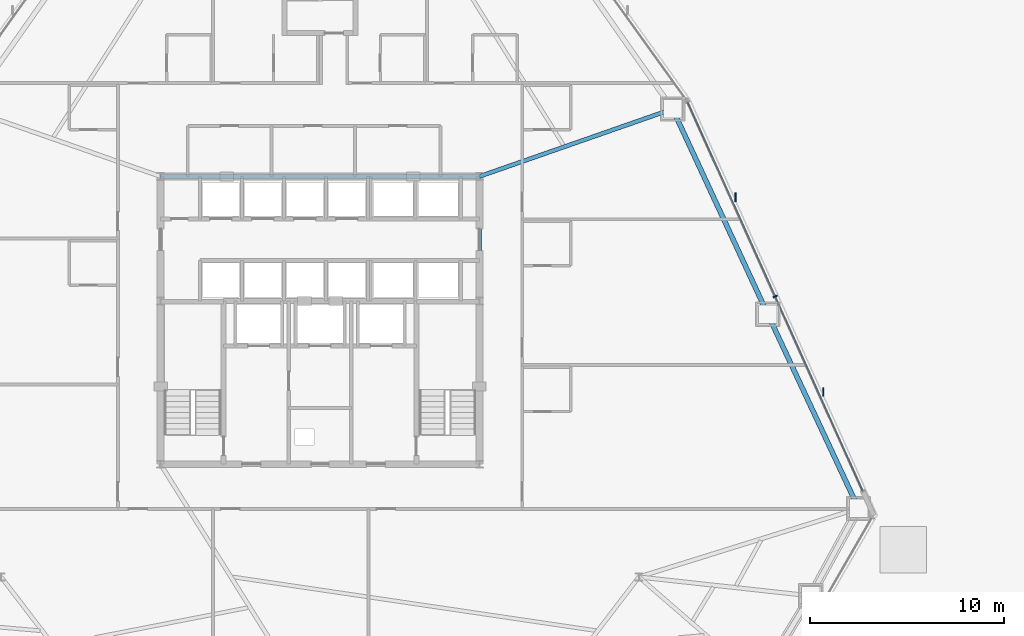
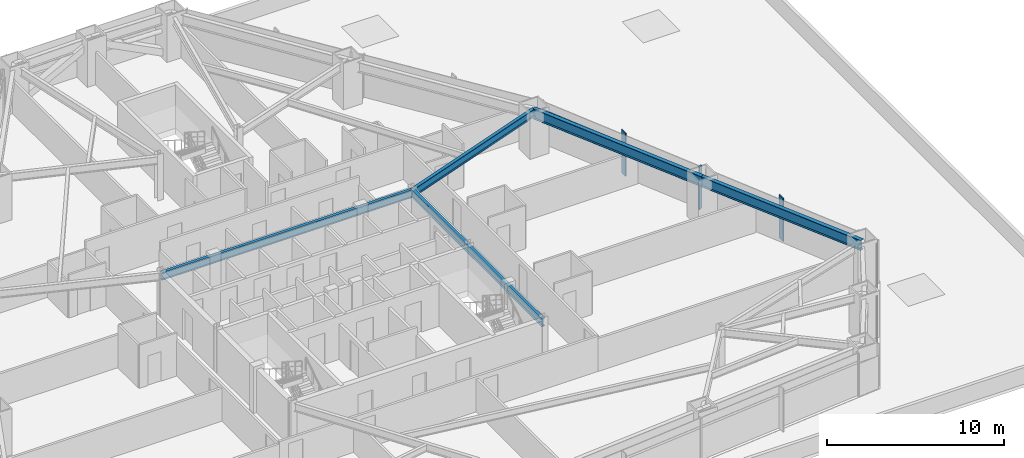
# One storey, part 7 of 17: 5 beams, 4 members, 1 element without a shape of its own.
"""IFC4 building model written with IfcOpenShell, lengths in metres."""

from ifc_helpers import new_model, si_unit, direction, frame, origin, origin_2d, place, context, subcontext, project, spatial, rectangle, i_section, extrude, source, transform, mapped, material, layer, layer_set, material_profile, profile_set, type_object, type_shapes, element, aggregate, save


model = new_model("IFC4")

# Units and contexts
model_context = context("Model", 3, precision=1e-05, world=origin(), true_north=direction((0.0, 1.0)))
body_context = subcontext(model_context, "Body", "Model", "MODEL_VIEW")
ifc_project = project(units=[si_unit("LENGTHUNIT", "METRE"), si_unit("AREAUNIT", "SQUARE_METRE"), si_unit("VOLUMEUNIT", "CUBIC_METRE"), si_unit("PLANEANGLEUNIT", "RADIAN"), si_unit("MASSUNIT", "GRAM", prefix="KILO")], contexts=[model_context])

# Site, building, storey
site_placement = place(None, origin())
site = spatial("IfcSite", under=ifc_project, at=site_placement, CompositionType="ELEMENT")
building_placement = place(site_placement, origin())
building = spatial("IfcBuilding", under=site, at=building_placement, Name="Varakhsha Concourse Tower", CompositionType="ELEMENT")
storey_placement = place(building_placement, frame((0.0, 0.0, 27.199951171875)))
storey = spatial("IfcBuildingStorey", under=building, at=storey_placement, Name="L06", CompositionType="ELEMENT", Elevation=27.199951171875)

# Beams
ifc_material_1 = material(Name="Structural Steel ASTM A992 Grade 50", Category="steel")
ifc_material_profile_1 = material_profile(ifc_material_1, i_section(OverallWidth=0.2109375, OverallDepth=0.5390625, WebThickness=0.011962890625, FlangeThickness=0.01904296875, at=origin_2d()), Name="W21X73")
ifc_profile_set_1 = profile_set([ifc_material_profile_1], Name="Structural Steel ASTM A992 Grade 50")
beam_type_1 = type_object("IfcBeamType", Name="BM-RAD-W21X73", PredefinedType="BEAM", material=ifc_profile_set_1)
beam_1_placement = place(storey_placement, frame((31.800048828125, 31.199951171875, 2.71044921875), z_axis=(1.0, 0.0, 0.0), x_axis=(0.0, 1.0, 0.0)))
element("IfcBeam", 1, at=beam_1_placement, inside=storey, type_object=beam_type_1, Name="BM-TCORE-L06-CN", PredefinedType="BEAM", context=body_context, shape_type="SweptSolid", body=[
    extrude(i_section(OverallWidth=0.2109375, OverallDepth=0.5390625, WebThickness=0.011962890625, FlangeThickness=0.01904296875, at=origin_2d()), origin(), (0.0, 0.0, 1.0), 16.39990234375),
])
beam_2_placement = place(storey_placement, frame((48.199951171875, 16.39990234375, 2.71044921875), z_axis=(0.0, 1.0, 0.0), x_axis=(-1.0, 0.0, 0.0)))
element("IfcBeam", 2, at=beam_2_placement, inside=storey, type_object=beam_type_1, Name="BM-TCORE-L06-CE", PredefinedType="BEAM", context=body_context, shape_type="SweptSolid", body=[
    extrude(i_section(OverallWidth=0.2109375, OverallDepth=0.5390625, WebThickness=0.011962890625, FlangeThickness=0.01904296875, at=origin_2d()), origin(), (0.0, 0.0, 1.0), 14.800048828125),
])
beam_3_placement = place(storey_placement, frame((48.199951171875, 31.199951171875, 2.71044921875), z_axis=(0.944069395278, 0.329746837587, 0.0), x_axis=(-0.329746837587, 0.944069395278, 0.0)))
element("IfcBeam", 3, at=beam_3_placement, inside=storey, type_object=beam_type_1, Name="L06 Radial Floor Girder 17", PredefinedType="BEAM", context=body_context, shape_type="SweptSolid", body=[
    extrude(i_section(OverallWidth=0.2109375, OverallDepth=0.5390625, WebThickness=0.011962890625, FlangeThickness=0.01904296875, at=origin_2d()), origin(), (0.0, 0.0, 1.0), 10.523193359375),
])
ifc_material_profile_2 = material_profile(ifc_material_1, i_section(OverallWidth=0.25390625, OverallDepth=0.701904296875, WebThickness=0.014892578125, FlangeThickness=0.028076171875, at=origin_2d()), Name="W27X129")
ifc_profile_set_2 = profile_set([ifc_material_profile_2], Name="Structural Steel ASTM A992 Grade 50")
beam_type_2 = type_object("IfcBeamType", Name="BM-SPAN-W27X129", PredefinedType="SPANDREL", material=ifc_profile_set_2)
beam_4_placement = place(storey_placement, frame((67.697265625, 14.125732421875, 2.629150390625), z_axis=(-0.423468305163, 0.90591091975, 0.0), x_axis=(-0.90591091975, -0.423468305163, 0.0)))
element("IfcBeam", 4, at=beam_4_placement, inside=storey, type_object=beam_type_2, Name="BM-SPAN-L06-15", PredefinedType="SPANDREL", context=body_context, shape_type="SweptSolid", body=[
    extrude(i_section(OverallWidth=0.25390625, OverallDepth=0.701904296875, WebThickness=0.014892578125, FlangeThickness=0.028076171875, at=origin_2d()), origin(), (0.0, 0.0, 1.0), 11.0283203125),
])
beam_5_placement = place(storey_placement, frame((63.027099609375, 24.116455078125, 2.629150390625), z_axis=(-0.420598806974, 0.907246737978, 0.0), x_axis=(-0.907246737978, -0.420598806974, 0.0)))
element("IfcBeam", 5, at=beam_5_placement, inside=storey, type_object=beam_type_2, Name="BM-SPAN-L06-16", PredefinedType="SPANDREL", context=body_context, shape_type="SweptSolid", body=[
    extrude(i_section(OverallWidth=0.25390625, OverallDepth=0.701904296875, WebThickness=0.014892578125, FlangeThickness=0.028076171875, at=origin_2d()), origin(), (0.0, 0.0, 1.0), 11.63232421875),
])

# Curtain wall, members
ifc_material_2 = material(Name="Anodised Bronze Architectural Aluminium AA 6063-T6", Category="aluminium")
ifc_layer = layer(ifc_material_2, 0.219970703125, Name="CW-SYS-02")
ifc_layer_set = layer_set([ifc_layer], Name="Anodised Bronze Architectural Aluminium AA 6063-T6")
curtain_wall_type = type_object("IfcCurtainWallType", Name="CW-SYS-02", PredefinedType="NOTDEFINED", material=ifc_layer_set)
curtain_wall_placement = place(storey_placement, origin())
curtain_wall = element("IfcCurtainWall", 6, at=curtain_wall_placement, inside=storey, type_object=curtain_wall_type, Name="L06 Crystal Curtain Wall F8", PredefinedType="NOTDEFINED")
ifc_material_profile_3 = material_profile(ifc_material_2, rectangle(XDim=0.074951171875, YDim=0.219970703125, at=origin_2d()), Name="CWM-220X75")
ifc_profile_set_3 = profile_set([ifc_material_profile_3], Name="Anodised Bronze Architectural Aluminium AA 6063-T6")
member_type_1 = type_object("IfcMemberType", Name="CWM-220X75", PredefinedType="MULLION", material=ifc_profile_set_3)
shared_shape_1 = source(origin(), body_context, "Body", "SweptSolid", [
    extrude(rectangle(XDim=0.074951171875, YDim=0.219970703125, at=origin_2d()), origin(), (0.0, 0.0, 1.0), 2.97998046875),
])
type_shapes(member_type_1, [shared_shape_1])
member_1_placement = place(storey_placement, frame((63.40869140625, 25.023193359375, 0.0), z_axis=(0.0, 0.0, 1.0), x_axis=(0.410683843161, -0.911777813377, 0.0)))
member_1 = element("IfcMember", 7, at=member_1_placement, type_object=member_type_1, Name="CW-L06-F8 Mullion 01", PredefinedType="MULLION", context=body_context, shape_type="MappedRepresentation", body=[
    mapped(shared_shape_1, transform((0.0, 0.0, 0.0), scale=1.0)),
])
ifc_material_profile_4 = material_profile(ifc_material_2, rectangle(XDim=0.06494140625, YDim=0.449951171875, at=origin_2d()), Name="FIN-BRZ-450")
ifc_profile_set_4 = profile_set([ifc_material_profile_4], Name="Anodised Bronze Architectural Aluminium AA 6063-T6")
member_type_2 = type_object("IfcMemberType", Name="FIN-BRZ-450", PredefinedType="USERDEFINED", material=ifc_profile_set_4)
shared_shape_2 = source(origin(), body_context, "Body", "SweptSolid", [
    extrude(rectangle(XDim=0.06494140625, YDim=0.449951171875, at=origin_2d()), origin(), (0.0, 0.0, 1.0), 2.97998046875),
])
type_shapes(member_type_2, [shared_shape_2])
member_2_placement = place(storey_placement, frame((61.3720703125, 30.12890625, 0.0), z_axis=(0.0, 0.0, 1.0), x_axis=(1.0, 0.0, 0.0)))
member_2 = element("IfcMember", 8, at=member_2_placement, type_object=member_type_2, Name="L06 Anodised Bronze Solar Fin F8-1", ObjectType="SOLAR FIN", PredefinedType="USERDEFINED", context=body_context, shape_type="MappedRepresentation", body=[
    mapped(shared_shape_2, transform((0.0, 0.0, 0.0), scale=1.0)),
])
member_3_placement = place(storey_placement, frame((65.8828125, 20.114501953125, 0.0), z_axis=(0.0, 0.0, 1.0), x_axis=(1.0, 0.0, 0.0)))
member_3 = element("IfcMember", 9, at=member_3_placement, type_object=member_type_2, Name="L06 Anodised Bronze Solar Fin F8-2", ObjectType="SOLAR FIN", PredefinedType="USERDEFINED", context=body_context, shape_type="MappedRepresentation", body=[
    mapped(shared_shape_2, transform((0.0, 0.0, 0.0), scale=1.0)),
])
ifc_material_profile_5 = material_profile(ifc_material_2, rectangle(XDim=0.06494140625, YDim=0.159912109375, at=origin_2d()), Name="CWT-160X65")
ifc_profile_set_5 = profile_set([ifc_material_profile_5], Name="Anodised Bronze Architectural Aluminium AA 6063-T6")
member_type_3 = type_object("IfcMemberType", Name="CWT-160X65", PredefinedType="USERDEFINED", material=ifc_profile_set_5)
shared_shape_3 = source(origin(), body_context, "Body", "SweptSolid", [
    extrude(rectangle(XDim=0.06494140625, YDim=0.159912109375, at=origin_2d()), origin(), (0.0, 0.0, 1.0), 21.966552734375),
])
type_shapes(member_type_3, [shared_shape_3])
member_4_placement = place(storey_placement, frame((58.89794921875, 35.037353515625, 2.330078125), z_axis=(0.410682136042, -0.911778582297, 0.0), x_axis=(0.911778582297, 0.410682136042, 0.0)))
member_4 = element("IfcMember", 10, at=member_4_placement, type_object=member_type_3, Name="CW-L06-F8 Transom 01", ObjectType="TRANSOM", PredefinedType="USERDEFINED", context=body_context, shape_type="MappedRepresentation", body=[
    mapped(shared_shape_3, transform((0.0, 0.0, 0.0), scale=1.0)),
])
aggregate(curtain_wall, [member_1, member_4, member_2, member_3])

save(model, "model.ifc")
